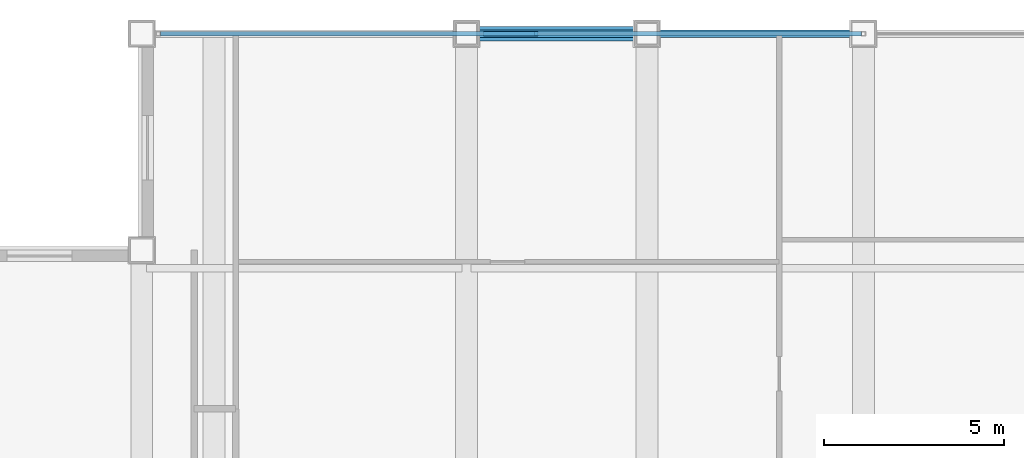
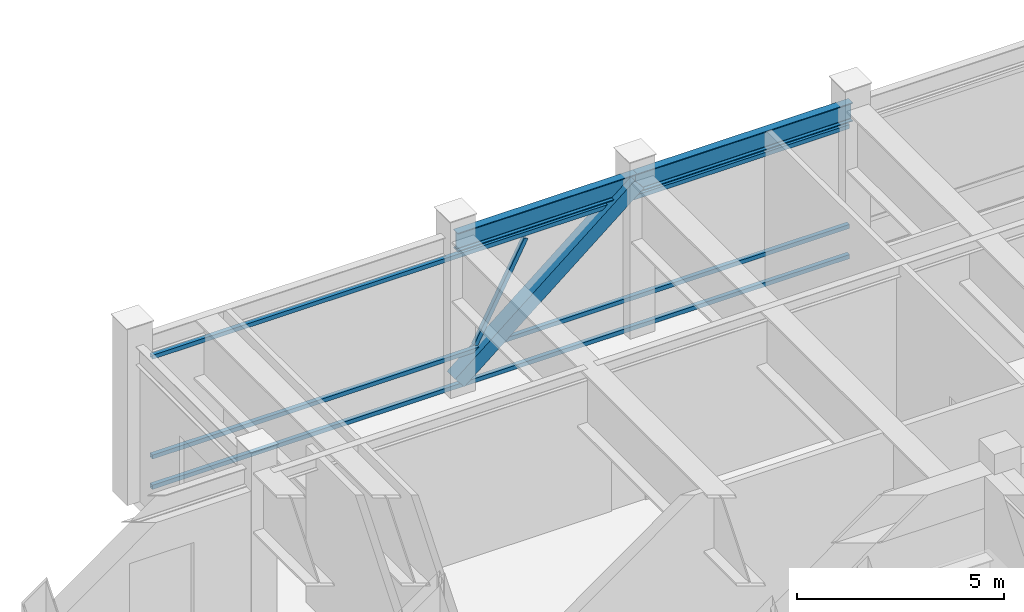
# One storey, part 17 of 29: 5 members, 2 beams, 1 element without a shape of its own.
"""IFC4 building model written with IfcOpenShell, lengths in metres."""

from ifc_helpers import new_model, si_unit, direction, frame, origin, origin_2d, place, context, subcontext, project, spatial, hollow_rectangle, i_section, extrude, source, transform, mapped, material, material_profile, profile_set, type_object, element, aggregate, save


model = new_model("IFC4")

# Units and contexts
model_context = context("Model", 3, precision=1e-05, world=origin(), true_north=direction((0.0, 1.0)))
body_context = subcontext(model_context, "Body", "Model", "MODEL_VIEW")
ifc_project = project(units=[si_unit("LENGTHUNIT", "METRE"), si_unit("AREAUNIT", "SQUARE_METRE"), si_unit("VOLUMEUNIT", "CUBIC_METRE"), si_unit("PLANEANGLEUNIT", "RADIAN"), si_unit("MASSUNIT", "GRAM", prefix="KILO")], contexts=[model_context])

# Site, building, storey
site_placement = place(None, origin())
site = spatial("IfcSite", under=ifc_project, at=site_placement, CompositionType="ELEMENT")
building_placement = place(site_placement, origin())
building = spatial("IfcBuilding", under=site, at=building_placement, Name="Khorayat Bourse Tower", CompositionType="ELEMENT")
storey_placement = place(building_placement, frame((0.0, 0.0, 370.300048828125)))
storey = spatial("IfcBuildingStorey", under=building, at=storey_placement, Name="L88", CompositionType="ELEMENT", Elevation=370.300048828125)

# Beams
ifc_material_1 = material(Name="Steel ASTM A992 Grade 50", Category="steel")
ifc_material_profile_1 = material_profile(ifc_material_1, i_section(OverallWidth=0.214111328125, OverallDepth=0.549072265625, WebThickness=0.0146484375, FlangeThickness=0.023681640625, FilletRadius=0.013916015625, at=origin_2d()), Name="W530X138")
ifc_profile_set_1 = profile_set([ifc_material_profile_1], Name="Steel ASTM A992 Grade 50")
beam_type = type_object("IfcBeamType", Name="BM-SPAN-530", PredefinedType="SPANDREL", material=ifc_profile_set_1)
shared_shape_1 = source(origin(), body_context, "Body", "SweptSolid", [
    extrude(i_section(OverallWidth=0.214111328125, OverallDepth=0.549072265625, WebThickness=0.0146484375, FlangeThickness=0.023681640625, FilletRadius=0.013916015625, at=origin_2d()), origin(), (0.0, 0.0, 1.0), 5.0),
])
beam_1_placement = place(storey_placement, frame((-11.0, 26.0, 4.325439453125), z_axis=(1.0, 0.0, 0.0), x_axis=(0.0, 1.0, 0.0)))
element("IfcBeam", 1, at=beam_1_placement, inside=storey, type_object=beam_type, Name="L88 BM-SPAN-530 BM-L88-SPN-044", PredefinedType="SPANDREL", context=body_context, shape_type="MappedRepresentation", body=[
    mapped(shared_shape_1, transform((0.0, 0.0, 0.0), scale=1.0)),
])
shared_shape_2 = source(origin(), body_context, "Body", "SweptSolid", [
    extrude(i_section(OverallWidth=0.214111328125, OverallDepth=0.549072265625, WebThickness=0.0146484375, FlangeThickness=0.023681640625, FilletRadius=0.013916015625, at=origin_2d()), origin(), (0.0, 0.0, 1.0), 6.0),
])
beam_2_placement = place(storey_placement, frame((-6.0, 26.0, 4.325439453125), z_axis=(1.0, 0.0, 0.0), x_axis=(0.0, 1.0, 0.0)))
element("IfcBeam", 2, at=beam_2_placement, inside=storey, type_object=beam_type, Name="L88 BM-SPAN-530 BM-L88-SPN-043", PredefinedType="SPANDREL", context=body_context, shape_type="MappedRepresentation", body=[
    mapped(shared_shape_2, transform((0.0, 0.0, 0.0), scale=1.0)),
])

# Member
ifc_material_2 = material(Name="Steel EN 10025-4 S460M", Category="steel")
ifc_material_profile_2 = material_profile(ifc_material_2, hollow_rectangle(XDim=0.39990234375, YDim=0.39990234375, WallThickness=0.02197265625, at=origin_2d()), Name="HSS 400x400x22")
ifc_profile_set_2 = profile_set([ifc_material_profile_2], Name="Steel EN 10025-4 S460M")
member_type_1 = type_object("IfcMemberType", Name="MBR-TUBE-400", PredefinedType="BRACE", material=ifc_profile_set_2)
shared_shape_3 = source(origin(), body_context, "Body", "SweptSolid", [
    extrude(hollow_rectangle(XDim=0.39990234375, YDim=0.39990234375, WallThickness=0.02197265625, at=origin_2d()), origin(), (0.0, 0.0, 1.0), 6.466064453125),
])
member_1_placement = place(storey_placement, frame((-11.0, 26.0, 0.25), z_axis=(0.773278898257, 0.0, 0.634066041916), x_axis=(0.0, 1.0, 0.0)))
element("IfcMember", 3, at=member_1_placement, inside=storey, type_object=member_type_1, Name="L88 Perimeter Tube Brace 03", PredefinedType="BRACE", context=body_context, shape_type="MappedRepresentation", body=[
    mapped(shared_shape_3, transform((0.0, 0.0, 0.0), scale=1.0)),
])

# Curtain wall, members
ifc_material_3 = material(Name="Aluminium EN AW-6063 T6", Category="aluminium")
curtain_wall_type = type_object("IfcCurtainWallType", Name="CW-SYS-04", PredefinedType="NOTDEFINED", material=ifc_material_3)
curtain_wall_placement = place(storey_placement, origin())
curtain_wall = element("IfcCurtainWall", 4, at=curtain_wall_placement, inside=storey, type_object=curtain_wall_type, Name="L88 Curtain Wall CW-L88-N1", PredefinedType="NOTDEFINED")
ifc_material_profile_3 = material_profile(ifc_material_3, hollow_rectangle(XDim=0.1201171875, YDim=0.1201171875, WallThickness=0.0048828125, at=origin_2d()), Name="ALU 120x120x5")
ifc_profile_set_3 = profile_set([ifc_material_profile_3], Name="Aluminium EN AW-6063 T6")
member_type_2 = type_object("IfcMemberType", Name="CWM-DIAG-120", PredefinedType="MULLION", material=ifc_profile_set_3)
shared_shape_4 = source(origin(), body_context, "Body", "SweptSolid", [
    extrude(hollow_rectangle(XDim=0.1201171875, YDim=0.1201171875, WallThickness=0.0048828125, at=origin_2d()), origin(), (0.0, 0.0, 1.0), 3.006103515625),
])
member_2_placement = place(storey_placement, frame((-10.469970703125, 26.0, 1.08984375), z_axis=(0.465699569312, 0.0, 0.884942885808), x_axis=(0.0, 1.0, 0.0)))
member_2 = element("IfcMember", 5, at=member_2_placement, type_object=member_type_2, Name="CW-L88-N1 Faceted Diagonal Mullion 1", PredefinedType="MULLION", context=body_context, shape_type="MappedRepresentation", body=[
    mapped(shared_shape_4, transform((0.0, 0.0, 0.0), scale=1.0)),
])
ifc_material_profile_4 = material_profile(ifc_material_3, hollow_rectangle(XDim=0.1201171875, YDim=0.1201171875, WallThickness=0.0048828125, at=origin_2d()), Name="ALU 120x120x5")
ifc_profile_set_4 = profile_set([ifc_material_profile_4], Name="Aluminium EN AW-6063 T6")
member_type_3 = type_object("IfcMemberType", Name="CWT-HORZ-120", PredefinedType="USERDEFINED", material=ifc_profile_set_4)
shared_shape_5 = source(origin(), body_context, "Body", "SweptSolid", [
    extrude(hollow_rectangle(XDim=0.1201171875, YDim=0.1201171875, WallThickness=0.0048828125, at=origin_2d()), origin(), (0.0, 0.0, 1.0), 19.419921875),
])
member_3_placement = place(storey_placement, frame((-19.47998046875, 26.0, 0.06005859375), z_axis=(1.0, 0.0, 0.0), x_axis=(0.0, 1.0, 0.0)))
member_3 = element("IfcMember", 6, at=member_3_placement, type_object=member_type_3, Name="CW-L88-N1 Horizontal Transom 1-1", ObjectType="TRANSOM", PredefinedType="USERDEFINED", context=body_context, shape_type="MappedRepresentation", body=[
    mapped(shared_shape_5, transform((0.0, 0.0, 0.0), scale=1.0)),
])
member_4_placement = place(storey_placement, frame((-19.47998046875, 26.0, 0.949951171875), z_axis=(1.0, 0.0, 0.0), x_axis=(0.0, 1.0, 0.0)))
member_4 = element("IfcMember", 7, at=member_4_placement, type_object=member_type_3, Name="CW-L88-N1 Horizontal Transom 1-2", ObjectType="TRANSOM", PredefinedType="USERDEFINED", context=body_context, shape_type="MappedRepresentation", body=[
    mapped(shared_shape_5, transform((0.0, 0.0, 0.0), scale=1.0)),
])
member_5_placement = place(storey_placement, frame((-19.47998046875, 26.0, 3.889892578125), z_axis=(1.0, 0.0, 0.0), x_axis=(0.0, 1.0, 0.0)))
member_5 = element("IfcMember", 8, at=member_5_placement, type_object=member_type_3, Name="CW-L88-N1 Horizontal Transom 1-3", ObjectType="TRANSOM", PredefinedType="USERDEFINED", context=body_context, shape_type="MappedRepresentation", body=[
    mapped(shared_shape_5, transform((0.0, 0.0, 0.0), scale=1.0)),
])
aggregate(curtain_wall, [member_3, member_4, member_5, member_2])

save(model, "model.ifc")
